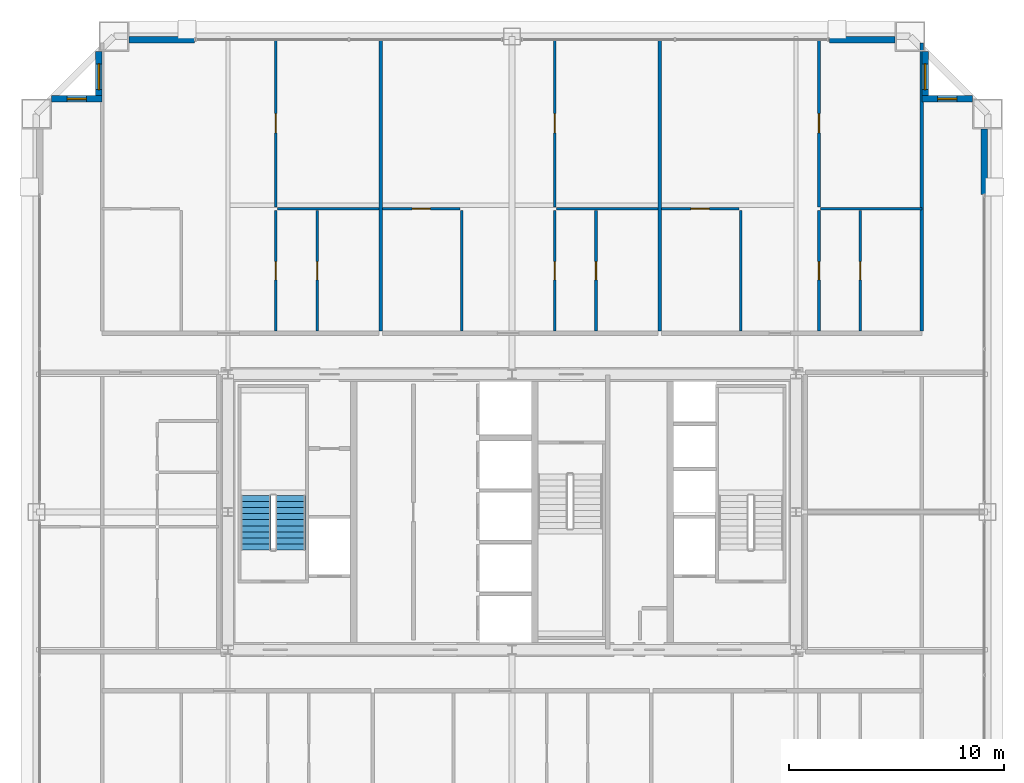
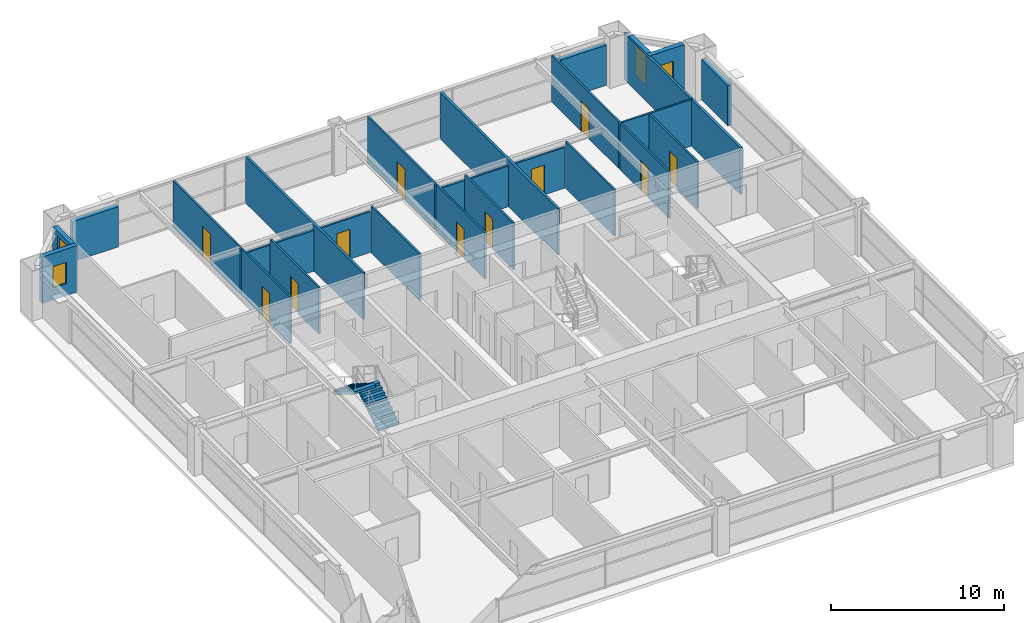
# One storey, part 36 of 38: 26 walls, 11 doors, 4 windows, 2 stair flights, 15 openings, 1 element without a shape of its own.
"""IFC4 building model written with IfcOpenShell, lengths in metres."""

import ifcopenshell
import ifcopenshell.guid

model = None  # the IFC model being written
_history = None  # IfcOwnerHistory: only IFC2X3 demands one
_inside = {}  # id of a spatial element -> (the spatial element, [elements in it])
_under = {}  # id of a project, library or spatial element -> (it, [spatial elements below it])
_declared = {}  # id of a project -> (the project, [libraries it declares])
_typed = {}  # id of a type object -> (the type object, [elements of that type])
_made_of = {}  # id of a material, layer set ... -> (it, [elements and type objects made of it])


def new_model(schema):
    """Start an empty IFC model of exactly this schema.

    Asked for "IFC4X3", IfcOpenShell would pick the latest addendum, in which some entities
    have other attributes; the version numbers below select the first issue.
    IFC2X3 requires an IfcOwnerHistory on every rooted entity: one is made here for all.
    """
    global model, _history
    if schema == "IFC4X3":
        model = ifcopenshell.file(schema_version=(4, 3, 0, 0))
    else:
        model = ifcopenshell.file(schema=schema)
    _inside.clear()
    _under.clear()
    _declared.clear()
    _typed.clear()
    _made_of.clear()
    _history = None
    if model.schema == "IFC2X3":
        org = make("IfcOrganization", Name="unknown")
        user = make(
            "IfcPersonAndOrganization",
            ThePerson=make("IfcPerson", FamilyName="unknown"),
            TheOrganization=org,
        )
        app = make(
            "IfcApplication",
            ApplicationDeveloper=org,
            Version="unknown",
            ApplicationFullName="unknown",
            ApplicationIdentifier="unknown",
        )
        _history = make(
            "IfcOwnerHistory",
            OwningUser=user,
            OwningApplication=app,
            ChangeAction="ADDED",
            CreationDate=0,
        )
    return model


def make(cls, **values):
    """One entity of the class cls with the attributes given. An attribute that is None is left unset."""
    return model.create_entity(
        cls, **{name: value for name, value in values.items() if value is not None}
    )


def rooted(cls, **values):
    """An entity with a GlobalId (a new one), such as an element, a storey or a relation."""
    return make(cls, GlobalId=ifcopenshell.guid.new(), OwnerHistory=_history, **values)


def si_unit(unit_type, name, prefix=None):
    """IfcSIUnit, for example si_unit("LENGTHUNIT", "METRE", prefix="MILLI")."""
    return make("IfcSIUnit", UnitType=unit_type, Prefix=prefix, Name=name)


def assignment(units):
    """IfcUnitAssignment: the units of a project."""
    return None if units is None else make("IfcUnitAssignment", Units=units)


def point(xyz):
    """IfcCartesianPoint."""
    return None if xyz is None else make("IfcCartesianPoint", Coordinates=xyz)


def direction(xyz):
    """IfcDirection."""
    return None if xyz is None else make("IfcDirection", DirectionRatios=xyz)


def frame(location, z_axis=None, x_axis=None):
    """IfcAxis2Placement3D, a coordinate frame: its origin and axes. An axis left out is left unset."""
    return make(
        "IfcAxis2Placement3D",
        Location=point(location),
        Axis=direction(z_axis),
        RefDirection=direction(x_axis),
    )


def frame_2d(location, x_axis=None):
    """IfcAxis2Placement2D, a coordinate frame in the plane: its origin and x axis."""
    return make(
        "IfcAxis2Placement2D", Location=point(location), RefDirection=direction(x_axis)
    )


def origin():
    """The frame at (0, 0, 0) with its axes left unset."""
    return frame((0.0, 0.0, 0.0))


def place(relative_to, where):
    """IfcLocalPlacement: puts the frame where relative to a parent placement (None: the world)."""
    return make(
        "IfcLocalPlacement", PlacementRelTo=relative_to, RelativePlacement=where
    )


def context(
    kind, dimensions, precision=None, world=None, true_north=None, identifier=None
):
    """IfcGeometricRepresentationContext, for example the 3D "Model" context."""
    return make(
        "IfcGeometricRepresentationContext",
        ContextIdentifier=identifier,
        ContextType=kind,
        CoordinateSpaceDimension=dimensions,
        Precision=precision,
        WorldCoordinateSystem=world,
        TrueNorth=true_north,
    )


def subcontext(parent, identifier, kind, view, scale=None):
    """IfcGeometricRepresentationSubContext, for example "Body" below "Model"."""
    return make(
        "IfcGeometricRepresentationSubContext",
        ContextIdentifier=identifier,
        ContextType=kind,
        ParentContext=parent,
        TargetScale=scale,
        TargetView=view,
    )


def project(units=None, contexts=None):
    """IfcProject with its units and contexts."""
    return rooted(
        "IfcProject",
        Name="project",
        RepresentationContexts=contexts,
        UnitsInContext=assignment(units),
    )


def spatial(cls, under=None, at=None, **own):
    """A site, building, storey or space (cls), placed at a placement, below another one or the project."""
    s = rooted(cls, ObjectPlacement=at, **own)
    if under is not None:
        _under.setdefault(under.id(), (under, []))[1].append(s)
    return s


def polyline(points):
    """IfcPolyline through the points."""
    return make("IfcPolyline", Points=[point(p) for p in points])


def profile(cls, at=None, kind="AREA", **sizes):
    """A parametric profile (cls). Its sizes go by their IFC names, for example OverallWidth=200.0."""
    return make(cls, ProfileType=kind, Position=at, **sizes)


def rectangle(**sizes):
    """IfcRectangleProfileDef."""
    return profile("IfcRectangleProfileDef", **sizes)


def outline(outer, holes=None, kind="AREA"):
    """IfcArbitraryClosedProfileDef: a profile drawn as a closed curve; with holes, ...WithVoids."""
    if holes is None:
        return make("IfcArbitraryClosedProfileDef", ProfileType=kind, OuterCurve=outer)
    return make(
        "IfcArbitraryProfileDefWithVoids",
        ProfileType=kind,
        OuterCurve=outer,
        InnerCurves=holes,
    )


def extrude(swept, where, along, depth):
    """IfcExtrudedAreaSolid: the profile swept, set in the frame where, extruded along a direction by depth."""
    return make(
        "IfcExtrudedAreaSolid",
        SweptArea=swept,
        Position=where,
        ExtrudedDirection=direction(along),
        Depth=depth,
    )


def shape(context_of_items, identifier, shape_type, items):
    """IfcShapeRepresentation: the items that make up one representation, for example the "Body"."""
    return make(
        "IfcShapeRepresentation",
        ContextOfItems=context_of_items,
        RepresentationIdentifier=identifier,
        RepresentationType=shape_type,
        Items=items,
    )


def source(mapping_origin, context_of_items, identifier, shape_type, items):
    """IfcRepresentationMap: a shape defined once, which mapped items show again and again."""
    return make(
        "IfcRepresentationMap",
        MappingOrigin=mapping_origin,
        MappedRepresentation=shape(context_of_items, identifier, shape_type, items),
    )


def transform(
    local_origin,
    x_axis=None,
    y_axis=None,
    z_axis=None,
    scale=None,
    scale2=None,
    scale3=None,
    uniform=True,
):
    """IfcCartesianTransformationOperator3D, or its non-uniform kind. x_axis, y_axis, z_axis: its Axis1, 2, 3."""
    if uniform:
        return make(
            "IfcCartesianTransformationOperator3D",
            Axis1=direction(x_axis),
            Axis2=direction(y_axis),
            LocalOrigin=point(local_origin),
            Scale=scale,
            Axis3=direction(z_axis),
        )
    return make(
        "IfcCartesianTransformationOperator3DnonUniform",
        Axis1=direction(x_axis),
        Axis2=direction(y_axis),
        LocalOrigin=point(local_origin),
        Scale=scale,
        Axis3=direction(z_axis),
        Scale2=scale2,
        Scale3=scale3,
    )


def mapped(mapping_source, mapping_target):
    """IfcMappedItem: shows the shape of a source again, moved by a transform."""
    return make(
        "IfcMappedItem", MappingSource=mapping_source, MappingTarget=mapping_target
    )


def material(Name=None, Category=None):
    """IfcMaterial."""
    return make("IfcMaterial", Name=Name, Category=Category)


def layer(
    of_material, thickness, ventilated=None, Name=None, Category=None, Priority=None
):
    """IfcMaterialLayer: one layer of a wall or slab, of a material (None: an air gap)."""
    return make(
        "IfcMaterialLayer",
        Material=of_material,
        LayerThickness=thickness,
        IsVentilated=ventilated,
        Name=Name,
        Category=Category,
        Priority=Priority,
    )


def layer_set(layers, Name=None):
    """IfcMaterialLayerSet."""
    return make("IfcMaterialLayerSet", MaterialLayers=layers, LayerSetName=Name)


def made_of(thing, what):
    """Note that an element or type object is made of a material, layer set ...; save() writes the relation."""
    if what is not None:
        _made_of.setdefault(what.id(), (what, []))[1].append(thing)
    return thing


def type_object(cls, material=None, **own):
    """A type object (cls), such as IfcWallType, which elements share."""
    return made_of(rooted(cls, **own), material)


def element(
    cls,
    number,
    at=None,
    inside=None,
    cuts=None,
    type_object=None,
    material=None,
    context=None,
    identifier="Body",
    shape_type=None,
    held_by="IfcProductDefinitionShape",
    body=None,
    shapes=None,
    **own,
):
    """One element of the class cls, such as IfcWall. Its Tag is "e" and its number.

    at: its placement. inside: the storey or other place that contains it. cuts: it is an
    opening in that element (IfcRelVoidsElement). A single representation is given by context,
    identifier, shape_type and body (its items); several are given by shapes. held_by: the class
    of the entity that holds the representations. save() writes the other relations.
    """
    e = rooted(cls, Tag="e%d" % number, ObjectPlacement=at, **own)
    if body is not None:
        shapes = [shape(context, identifier, shape_type, body)]
    if shapes is not None:
        e.Representation = make(held_by, Representations=shapes)
    if inside is not None:
        _inside.setdefault(inside.id(), (inside, []))[1].append(e)
    if cuts is not None:
        rooted(
            "IfcRelVoidsElement", RelatingBuildingElement=cuts, RelatedOpeningElement=e
        )
    if type_object is not None:
        _typed.setdefault(type_object.id(), (type_object, []))[1].append(e)
    return made_of(e, material)


def fill(opening, filler):
    """IfcRelFillsElement: the door or window that sits in an opening."""
    return rooted(
        "IfcRelFillsElement",
        RelatingOpeningElement=opening,
        RelatedBuildingElement=filler,
    )


def aggregate(whole, parts):
    """IfcRelAggregates: a whole, such as a stair, and the parts it consists of."""
    return rooted("IfcRelAggregates", RelatingObject=whole, RelatedObjects=parts)


def save(model, path):
    """Write the relations noted so far, then the file.

    IfcRelAggregates (storeys below a building ...), IfcRelContainedInSpatialStructure (elements
    in a storey), IfcRelDefinesByType, IfcRelAssociatesMaterial and IfcRelDeclares: one each for
    every whole, place, type object, material and project.
    """
    for whole, parts in _under.values():
        aggregate(whole, parts)
    for where, things in _inside.values():
        rooted(
            "IfcRelContainedInSpatialStructure",
            RelatedElements=things,
            RelatingStructure=where,
        )
    for kind, things in _typed.values():
        rooted("IfcRelDefinesByType", RelatedObjects=things, RelatingType=kind)
    for what, things in _made_of.values():
        rooted("IfcRelAssociatesMaterial", RelatedObjects=things, RelatingMaterial=what)
    for by, libraries in _declared.values():
        rooted("IfcRelDeclares", RelatingContext=by, RelatedDefinitions=libraries)
    model.write(path)


model = new_model("IFC4")

# Units and contexts
model_context = context("Model", 3, precision=1e-05, world=origin(), true_north=direction((0.0, 1.0)))
body_context = subcontext(model_context, "Body", "Model", "MODEL_VIEW")
ifc_project = project(units=[si_unit("LENGTHUNIT", "METRE"), si_unit("AREAUNIT", "SQUARE_METRE"), si_unit("VOLUMEUNIT", "CUBIC_METRE"), si_unit("PLANEANGLEUNIT", "RADIAN"), si_unit("MASSUNIT", "GRAM", prefix="KILO"), si_unit("THERMODYNAMICTEMPERATUREUNIT", "KELVIN"), si_unit("POWERUNIT", "WATT")], contexts=[model_context])

# Site, building, storey
site_placement = place(None, origin())
site = spatial("IfcSite", under=ifc_project, at=site_placement, CompositionType="ELEMENT")
building_placement = place(site_placement, origin())
building = spatial("IfcBuilding", under=site, at=building_placement, Name="Yuzanri Waterfront Tower", CompositionType="ELEMENT")
storey_placement = place(building_placement, frame((0.0, 0.0, 202.0)))
storey = spatial("IfcBuildingStorey", under=building, at=storey_placement, Name="L53", CompositionType="ELEMENT", Elevation=202.0)

# Wall, opening, door
ifc_material_1 = material(Name="Moisture-Resistant Gypsum Stud Wall", Category="gypsum")
ifc_layer_1 = layer(ifc_material_1, 0.1201171875)
ifc_layer_set_1 = layer_set([ifc_layer_1], Name="Moisture-Resistant Gypsum Stud Wall")
wall_type_1 = type_object("IfcWallType", Name="Bathroom and Kitchen Wet Partition 120", PredefinedType="PARTITIONING", material=ifc_layer_set_1)
wall_1_placement = place(storey_placement, frame((27.94091796875, 34.2099609375, 0.0), z_axis=(0.0, 0.0, 1.0), x_axis=(0.0, 1.0, 0.0)))
wall_1 = element("IfcWall", 1, at=wall_1_placement, inside=storey, type_object=wall_type_1, Name="L53 Partition UW-L53-RN1-SUB-2-W", PredefinedType="PARTITIONING", context=body_context, shape_type="SweptSolid", body=[
    extrude(rectangle(XDim=5.610107421875, YDim=0.1201171875, at=frame_2d((2.80517578125, 0.0))), origin(), (0.0, 0.0, 1.0), 3.280029296875),
])
opening_1_placement = place(wall_1_placement, frame((2.3798828125, 0.0, 0.0)))
opening_1 = element("IfcOpeningElement", 2, at=opening_1_placement, cuts=wall_1, Name="Opening ID-0850", PredefinedType="OPENING", context=body_context, shape_type="SweptSolid", body=[
    extrude(rectangle(XDim=0.85009765625, YDim=2.10009765625, at=frame_2d((0.425048828125, 1.050048828125))), frame((0.0, 0.074951171875, 0.0), z_axis=(0.0, -1.0, 0.0), x_axis=(1.0, 0.0, 0.0)), (0.0, 0.0, 1.0), 0.14990234375),
])
ifc_material_2 = material(Name="Moisture-Resistant Lacquered Timber", Category="wood")
door_type_1 = type_object("IfcDoorType", Name="En-Suite Bathroom and Kitchen Swing Door 850x2100", OperationType="NOTDEFINED", PredefinedType="DOOR", material=ifc_material_2)
shared_shape_1 = source(origin(), body_context, "Body", "SweptSolid", [
    extrude(rectangle(XDim=0.85009765625, YDim=2.10009765625, at=frame_2d((0.425048828125, 1.050048828125))), frame((0.0, 0.02490234375, 0.0), z_axis=(0.0, -1.0, 0.0), x_axis=(1.0, 0.0, 0.0)), (0.0, 0.0, 1.0), 0.050048828125),
])
door_1_placement = place(opening_1_placement, origin())
door_1 = element("IfcDoor", 3, at=door_1_placement, inside=storey, type_object=door_type_1, Name="L53 Suite Interior Room Door", OperationType="SINGLE_SWING_LEFT", OverallHeight=2.10009765625, OverallWidth=0.85009765625, PredefinedType="DOOR", context=body_context, shape_type="MappedRepresentation", body=[
    mapped(shared_shape_1, transform((0.0, 0.0, 0.0), scale=1.0)),
])
fill(opening_1, door_1)

wall_2_placement = place(storey_placement, frame((26.029052734375, 39.97998046875, 0.0), z_axis=(0.0, 0.0, 1.0), x_axis=(0.0, 1.0, 0.0)))
wall_2 = element("IfcWall", 4, at=wall_2_placement, inside=storey, type_object=wall_type_1, Name="L53 Partition UW-L53-RN1-SUB-3-W", PredefinedType="PARTITIONING", context=body_context, shape_type="SweptSolid", body=[
    extrude(rectangle(XDim=7.77001953125, YDim=0.1201171875, at=frame_2d((3.885009765625, 0.0))), origin(), (0.0, 0.0, 1.0), 3.280029296875),
])
opening_2_placement = place(wall_2_placement, frame((3.43505859375, 0.0, 0.0)))
opening_2 = element("IfcOpeningElement", 5, at=opening_2_placement, cuts=wall_2, Name="Opening ID-0900", PredefinedType="OPENING", context=body_context, shape_type="SweptSolid", body=[
    extrude(rectangle(XDim=0.89990234375, YDim=2.14990234375, at=frame_2d((0.449951171875, 1.074951171875))), frame((0.0, 0.074951171875, 0.0), z_axis=(0.0, -1.0, 0.0), x_axis=(1.0, 0.0, 0.0)), (0.0, 0.0, 1.0), 0.14990234375),
])
ifc_material_3 = material(Name="Stained Walnut Veneer Timber", Category="wood")
door_type_2 = type_object("IfcDoorType", Name="Bedroom and Study Interior Swing Door 900x2150", OperationType="NOTDEFINED", PredefinedType="DOOR", material=ifc_material_3)
shared_shape_2 = source(origin(), body_context, "Body", "SweptSolid", [
    extrude(rectangle(XDim=0.89990234375, YDim=2.14990234375, at=frame_2d((0.449951171875, 1.074951171875))), frame((0.0, 0.02490234375, 0.0), z_axis=(0.0, -1.0, 0.0), x_axis=(1.0, 0.0, 0.0)), (0.0, 0.0, 1.0), 0.050048828125),
])
door_2_placement = place(opening_2_placement, origin())
door_2 = element("IfcDoor", 6, at=door_2_placement, inside=storey, type_object=door_type_2, Name="L53 Suite Interior Room Door", OperationType="SINGLE_SWING_RIGHT", OverallHeight=2.14990234375, OverallWidth=0.89990234375, PredefinedType="DOOR", context=body_context, shape_type="MappedRepresentation", body=[
    mapped(shared_shape_2, transform((0.0, 0.0, 0.0), scale=1.0)),
])
fill(opening_2, door_2)

wall_3_placement = place(storey_placement, frame((26.029052734375, 34.2099609375, 0.0), z_axis=(0.0, 0.0, 1.0), x_axis=(0.0, 1.0, 0.0)))
wall_3 = element("IfcWall", 7, at=wall_3_placement, inside=storey, type_object=wall_type_1, Name="L53 Partition UW-L53-RN1-SUB-4-W", PredefinedType="PARTITIONING", context=body_context, shape_type="SweptSolid", body=[
    extrude(rectangle(XDim=5.610107421875, YDim=0.1201171875, at=frame_2d((2.80517578125, 0.0))), origin(), (0.0, 0.0, 1.0), 3.280029296875),
])
opening_3_placement = place(wall_3_placement, frame((2.3798828125, 0.0, 0.0)))
opening_3 = element("IfcOpeningElement", 8, at=opening_3_placement, cuts=wall_3, Name="Opening ID-0850", PredefinedType="OPENING", context=body_context, shape_type="SweptSolid", body=[
    extrude(rectangle(XDim=0.85009765625, YDim=2.10009765625, at=frame_2d((0.425048828125, 1.050048828125))), frame((0.0, 0.074951171875, 0.0), z_axis=(0.0, -1.0, 0.0), x_axis=(1.0, 0.0, 0.0)), (0.0, 0.0, 1.0), 0.14990234375),
])
door_3_placement = place(opening_3_placement, origin())
door_3 = element("IfcDoor", 9, at=door_3_placement, inside=storey, type_object=door_type_1, Name="L53 Suite Interior Room Door", OperationType="SINGLE_SWING_LEFT", OverallHeight=2.10009765625, OverallWidth=0.85009765625, PredefinedType="DOOR", context=body_context, shape_type="MappedRepresentation", body=[
    mapped(shared_shape_1, transform((0.0, 0.0, 0.0), scale=1.0)),
])
fill(opening_3, door_3)

wall_4_placement = place(storey_placement, frame((30.98095703125, 39.89990234375, 0.0), z_axis=(0.0, 0.0, 1.0), x_axis=(1.0, 0.0, 0.0)))
wall_4 = element("IfcWall", 10, at=wall_4_placement, inside=storey, type_object=wall_type_1, Name="L53 Partition UW-L53-RN2-SUB-1-N", PredefinedType="PARTITIONING", context=body_context, shape_type="SweptSolid", body=[
    extrude(rectangle(XDim=3.60009765625, YDim=0.1201171875, at=frame_2d((1.800048828125, 0.0))), origin(), (0.0, 0.0, 1.0), 2.875),
])
opening_4_placement = place(wall_4_placement, frame((1.375, 0.0, 0.0)))
opening_4 = element("IfcOpeningElement", 11, at=opening_4_placement, cuts=wall_4, Name="Opening ID-0850", PredefinedType="OPENING", context=body_context, shape_type="SweptSolid", body=[
    extrude(rectangle(XDim=0.85009765625, YDim=2.10009765625, at=frame_2d((0.425048828125, 1.050048828125))), frame((0.0, 0.074951171875, 0.0), z_axis=(0.0, -1.0, 0.0), x_axis=(1.0, 0.0, 0.0)), (0.0, 0.0, 1.0), 0.14990234375),
])
door_4_placement = place(opening_4_placement, origin())
door_4 = element("IfcDoor", 12, at=door_4_placement, inside=storey, type_object=door_type_1, Name="L53 Suite Interior Room Door", OperationType="SINGLE_SWING_LEFT", OverallHeight=2.10009765625, OverallWidth=0.85009765625, PredefinedType="DOOR", context=body_context, shape_type="MappedRepresentation", body=[
    mapped(shared_shape_1, transform((0.0, 0.0, 0.0), scale=1.0)),
])
fill(opening_4, door_4)

wall_5_placement = place(storey_placement, frame((40.902099609375, 34.2099609375, 0.0), z_axis=(0.0, 0.0, 1.0), x_axis=(0.0, 1.0, 0.0)))
wall_5 = element("IfcWall", 13, at=wall_5_placement, inside=storey, type_object=wall_type_1, Name="L53 Partition UW-L53-RN2-SUB-2-W", PredefinedType="PARTITIONING", context=body_context, shape_type="SweptSolid", body=[
    extrude(rectangle(XDim=5.610107421875, YDim=0.1201171875, at=frame_2d((2.80517578125, 0.0))), origin(), (0.0, 0.0, 1.0), 3.280029296875),
])
opening_5_placement = place(wall_5_placement, frame((2.3798828125, 0.0, 0.0)))
opening_5 = element("IfcOpeningElement", 14, at=opening_5_placement, cuts=wall_5, Name="Opening ID-0850", PredefinedType="OPENING", context=body_context, shape_type="SweptSolid", body=[
    extrude(rectangle(XDim=0.85009765625, YDim=2.10009765625, at=frame_2d((0.425048828125, 1.050048828125))), frame((0.0, 0.074951171875, 0.0), z_axis=(0.0, -1.0, 0.0), x_axis=(1.0, 0.0, 0.0)), (0.0, 0.0, 1.0), 0.14990234375),
])
door_5_placement = place(opening_5_placement, origin())
door_5 = element("IfcDoor", 15, at=door_5_placement, inside=storey, type_object=door_type_1, Name="L53 Suite Interior Room Door", OperationType="SINGLE_SWING_RIGHT", OverallHeight=2.10009765625, OverallWidth=0.85009765625, PredefinedType="DOOR", context=body_context, shape_type="MappedRepresentation", body=[
    mapped(shared_shape_1, transform((0.0, 0.0, 0.0), scale=1.0)),
])
fill(opening_5, door_5)

wall_6_placement = place(storey_placement, frame((38.989990234375, 39.97998046875, 0.0), z_axis=(0.0, 0.0, 1.0), x_axis=(0.0, 1.0, 0.0)))
wall_6 = element("IfcWall", 16, at=wall_6_placement, inside=storey, type_object=wall_type_1, Name="L53 Partition UW-L53-RN2-SUB-3-W", PredefinedType="PARTITIONING", context=body_context, shape_type="SweptSolid", body=[
    extrude(rectangle(XDim=7.77001953125, YDim=0.1201171875, at=frame_2d((3.885009765625, 0.0))), origin(), (0.0, 0.0, 1.0), 3.280029296875),
])
opening_6_placement = place(wall_6_placement, frame((3.43505859375, 0.0, 0.0)))
opening_6 = element("IfcOpeningElement", 17, at=opening_6_placement, cuts=wall_6, Name="Opening ID-0900", PredefinedType="OPENING", context=body_context, shape_type="SweptSolid", body=[
    extrude(rectangle(XDim=0.89990234375, YDim=2.14990234375, at=frame_2d((0.449951171875, 1.074951171875))), frame((0.0, 0.074951171875, 0.0), z_axis=(0.0, -1.0, 0.0), x_axis=(1.0, 0.0, 0.0)), (0.0, 0.0, 1.0), 0.14990234375),
])
door_6_placement = place(opening_6_placement, origin())
door_6 = element("IfcDoor", 18, at=door_6_placement, inside=storey, type_object=door_type_2, Name="L53 Suite Interior Room Door", OperationType="SINGLE_SWING_LEFT", OverallHeight=2.14990234375, OverallWidth=0.89990234375, PredefinedType="DOOR", context=body_context, shape_type="MappedRepresentation", body=[
    mapped(shared_shape_2, transform((0.0, 0.0, 0.0), scale=1.0)),
])
fill(opening_6, door_6)

wall_7_placement = place(storey_placement, frame((38.989990234375, 34.2099609375, 0.0), z_axis=(0.0, 0.0, 1.0), x_axis=(0.0, 1.0, 0.0)))
wall_7 = element("IfcWall", 19, at=wall_7_placement, inside=storey, type_object=wall_type_1, Name="L53 Partition UW-L53-RN2-SUB-4-W", PredefinedType="PARTITIONING", context=body_context, shape_type="SweptSolid", body=[
    extrude(rectangle(XDim=5.610107421875, YDim=0.1201171875, at=frame_2d((2.80517578125, 0.0))), origin(), (0.0, 0.0, 1.0), 3.280029296875),
])
opening_7_placement = place(wall_7_placement, frame((2.3798828125, 0.0, 0.0)))
opening_7 = element("IfcOpeningElement", 20, at=opening_7_placement, cuts=wall_7, Name="Opening ID-0850", PredefinedType="OPENING", context=body_context, shape_type="SweptSolid", body=[
    extrude(rectangle(XDim=0.85009765625, YDim=2.10009765625, at=frame_2d((0.425048828125, 1.050048828125))), frame((0.0, 0.074951171875, 0.0), z_axis=(0.0, -1.0, 0.0), x_axis=(1.0, 0.0, 0.0)), (0.0, 0.0, 1.0), 0.14990234375),
])
door_7_placement = place(opening_7_placement, origin())
door_7 = element("IfcDoor", 21, at=door_7_placement, inside=storey, type_object=door_type_1, Name="L53 Suite Interior Room Door", OperationType="SINGLE_SWING_RIGHT", OverallHeight=2.10009765625, OverallWidth=0.85009765625, PredefinedType="DOOR", context=body_context, shape_type="MappedRepresentation", body=[
    mapped(shared_shape_1, transform((0.0, 0.0, 0.0), scale=1.0)),
])
fill(opening_7, door_7)

wall_8_placement = place(storey_placement, frame((43.94189453125, 39.89990234375, 0.0), z_axis=(0.0, 0.0, 1.0), x_axis=(1.0, 0.0, 0.0)))
wall_8 = element("IfcWall", 22, at=wall_8_placement, inside=storey, type_object=wall_type_1, Name="L53 Partition UW-L53-RN3-SUB-1-N", PredefinedType="PARTITIONING", context=body_context, shape_type="SweptSolid", body=[
    extrude(rectangle(XDim=3.60009765625, YDim=0.1201171875, at=frame_2d((1.800048828125, 0.0))), origin(), (0.0, 0.0, 1.0), 2.875),
])
opening_8_placement = place(wall_8_placement, frame((1.375, 0.0, 0.0)))
opening_8 = element("IfcOpeningElement", 23, at=opening_8_placement, cuts=wall_8, Name="Opening ID-0850", PredefinedType="OPENING", context=body_context, shape_type="SweptSolid", body=[
    extrude(rectangle(XDim=0.85009765625, YDim=2.10009765625, at=frame_2d((0.425048828125, 1.050048828125))), frame((0.0, 0.074951171875, 0.0), z_axis=(0.0, -1.0, 0.0), x_axis=(1.0, 0.0, 0.0)), (0.0, 0.0, 1.0), 0.14990234375),
])
door_8_placement = place(opening_8_placement, origin())
door_8 = element("IfcDoor", 24, at=door_8_placement, inside=storey, type_object=door_type_1, Name="L53 Suite Interior Room Door", OperationType="SINGLE_SWING_RIGHT", OverallHeight=2.10009765625, OverallWidth=0.85009765625, PredefinedType="DOOR", context=body_context, shape_type="MappedRepresentation", body=[
    mapped(shared_shape_1, transform((0.0, 0.0, 0.0), scale=1.0)),
])
fill(opening_8, door_8)

wall_9_placement = place(storey_placement, frame((53.179931640625, 34.2099609375, 0.0), z_axis=(0.0, 0.0, 1.0), x_axis=(0.0, 1.0, 0.0)))
wall_9 = element("IfcWall", 25, at=wall_9_placement, inside=storey, type_object=wall_type_1, Name="L53 Partition UW-L53-RN3-SUB-2-W", PredefinedType="PARTITIONING", context=body_context, shape_type="SweptSolid", body=[
    extrude(rectangle(XDim=5.610107421875, YDim=0.1201171875, at=frame_2d((2.80517578125, 0.0))), origin(), (0.0, 0.0, 1.0), 3.280029296875),
])
opening_9_placement = place(wall_9_placement, frame((2.3798828125, 0.0, 0.0)))
opening_9 = element("IfcOpeningElement", 26, at=opening_9_placement, cuts=wall_9, Name="Opening ID-0850", PredefinedType="OPENING", context=body_context, shape_type="SweptSolid", body=[
    extrude(rectangle(XDim=0.85009765625, YDim=2.10009765625, at=frame_2d((0.425048828125, 1.050048828125))), frame((0.0, 0.074951171875, 0.0), z_axis=(0.0, -1.0, 0.0), x_axis=(1.0, 0.0, 0.0)), (0.0, 0.0, 1.0), 0.14990234375),
])
door_9_placement = place(opening_9_placement, origin())
door_9 = element("IfcDoor", 27, at=door_9_placement, inside=storey, type_object=door_type_1, Name="L53 Suite Interior Room Door", OperationType="SINGLE_SWING_LEFT", OverallHeight=2.10009765625, OverallWidth=0.85009765625, PredefinedType="DOOR", context=body_context, shape_type="MappedRepresentation", body=[
    mapped(shared_shape_1, transform((0.0, 0.0, 0.0), scale=1.0)),
])
fill(opening_9, door_9)

wall_10_placement = place(storey_placement, frame((51.26806640625, 39.97998046875, 0.0), z_axis=(0.0, 0.0, 1.0), x_axis=(0.0, 1.0, 0.0)))
wall_10 = element("IfcWall", 28, at=wall_10_placement, inside=storey, type_object=wall_type_1, Name="L53 Partition UW-L53-RN3-SUB-3-W", PredefinedType="PARTITIONING", context=body_context, shape_type="SweptSolid", body=[
    extrude(rectangle(XDim=7.77001953125, YDim=0.1201171875, at=frame_2d((3.885009765625, 0.0))), origin(), (0.0, 0.0, 1.0), 3.280029296875),
])
opening_10_placement = place(wall_10_placement, frame((3.43505859375, 0.0, 0.0)))
opening_10 = element("IfcOpeningElement", 29, at=opening_10_placement, cuts=wall_10, Name="Opening ID-0900", PredefinedType="OPENING", context=body_context, shape_type="SweptSolid", body=[
    extrude(rectangle(XDim=0.89990234375, YDim=2.14990234375, at=frame_2d((0.449951171875, 1.074951171875))), frame((0.0, 0.074951171875, 0.0), z_axis=(0.0, -1.0, 0.0), x_axis=(1.0, 0.0, 0.0)), (0.0, 0.0, 1.0), 0.14990234375),
])
door_10_placement = place(opening_10_placement, origin())
door_10 = element("IfcDoor", 30, at=door_10_placement, inside=storey, type_object=door_type_2, Name="L53 Suite Interior Room Door", OperationType="SINGLE_SWING_RIGHT", OverallHeight=2.14990234375, OverallWidth=0.89990234375, PredefinedType="DOOR", context=body_context, shape_type="MappedRepresentation", body=[
    mapped(shared_shape_2, transform((0.0, 0.0, 0.0), scale=1.0)),
])
fill(opening_10, door_10)

wall_11_placement = place(storey_placement, frame((51.26806640625, 34.2099609375, 0.0), z_axis=(0.0, 0.0, 1.0), x_axis=(0.0, 1.0, 0.0)))
wall_11 = element("IfcWall", 31, at=wall_11_placement, inside=storey, type_object=wall_type_1, Name="L53 Partition UW-L53-RN3-SUB-4-W", PredefinedType="PARTITIONING", context=body_context, shape_type="SweptSolid", body=[
    extrude(rectangle(XDim=5.610107421875, YDim=0.1201171875, at=frame_2d((2.80517578125, 0.0))), origin(), (0.0, 0.0, 1.0), 3.280029296875),
])
opening_11_placement = place(wall_11_placement, frame((2.3798828125, 0.0, 0.0)))
opening_11 = element("IfcOpeningElement", 32, at=opening_11_placement, cuts=wall_11, Name="Opening ID-0850", PredefinedType="OPENING", context=body_context, shape_type="SweptSolid", body=[
    extrude(rectangle(XDim=0.85009765625, YDim=2.10009765625, at=frame_2d((0.425048828125, 1.050048828125))), frame((0.0, 0.074951171875, 0.0), z_axis=(0.0, -1.0, 0.0), x_axis=(1.0, 0.0, 0.0)), (0.0, 0.0, 1.0), 0.14990234375),
])
door_11_placement = place(opening_11_placement, origin())
door_11 = element("IfcDoor", 33, at=door_11_placement, inside=storey, type_object=door_type_1, Name="L53 Suite Interior Room Door", OperationType="SINGLE_SWING_LEFT", OverallHeight=2.10009765625, OverallWidth=0.85009765625, PredefinedType="DOOR", context=body_context, shape_type="MappedRepresentation", body=[
    mapped(shared_shape_1, transform((0.0, 0.0, 0.0), scale=1.0)),
])
fill(opening_11, door_11)

# Wall, opening, window
ifc_material_4 = material(Name="Honed Chongqing Dark Basalt Stone", Category="masonry")
ifc_layer_2 = layer(ifc_material_4, 0.300048828125)
ifc_layer_set_2 = layer_set([ifc_layer_2], Name="Honed Chongqing Dark Basalt Stone")
wall_type_2 = type_object("IfcWallType", Name="Bronze Rainscreen Insulated Spandrel Portal Wall 300", PredefinedType="SOLIDWALL", material=ifc_layer_set_2)
wall_12_placement = place(storey_placement, frame((17.949951171875, 45.0, 0.0), z_axis=(0.0, 0.0, 1.0), x_axis=(-1.0, 0.0, 0.0)))
wall_12 = element("IfcWall", 34, at=wall_12_placement, inside=storey, type_object=wall_type_2, Name="L53 Notched Corner Masonry Wall NW-X", PredefinedType="SOLIDWALL", context=body_context, shape_type="SweptSolid", body=[
    extrude(rectangle(XDim=2.349853515625, YDim=0.300048828125, at=frame_2d((1.1748046875, 0.0))), origin(), (0.0, 0.0, 1.0), 3.280029296875),
])
opening_12_placement = place(wall_12_placement, frame((0.72509765625, 0.0, 0.85009765625)))
opening_12 = element("IfcOpeningElement", 35, at=opening_12_placement, cuts=wall_12, Name="Opening WN-05", PredefinedType="OPENING", context=body_context, shape_type="SweptSolid", body=[
    extrude(rectangle(XDim=0.89990234375, YDim=1.5, at=frame_2d((0.449951171875, 0.75))), frame((0.0, 0.1650390625, 0.0), z_axis=(0.0, -1.0, 0.0), x_axis=(1.0, 0.0, 0.0)), (0.0, 0.0, 1.0), 0.329833984375),
])
ifc_material_5 = material(Name="Double-Silver Low-E Insulated Glass", Category="glass")
window_type_1 = type_object("IfcWindowType", Name="Anodized Bronze Service and Stairwell Smoke-Vent Window 900x1500", PartitioningType="SINGLE_PANEL", PredefinedType="WINDOW", material=ifc_material_5)
shared_shape_3 = source(origin(), body_context, "Body", "SweptSolid", [
    extrude(rectangle(XDim=0.89990234375, YDim=1.5, at=frame_2d((0.449951171875, 0.75))), frame((0.0, 0.030029296875, 0.0), z_axis=(0.0, -1.0, 0.0), x_axis=(1.0, 0.0, 0.0)), (0.0, 0.0, 1.0), 0.06005859375),
])
window_1_placement = place(opening_12_placement, origin())
window_1 = element("IfcWindow", 36, at=window_1_placement, inside=storey, type_object=window_type_1, Name="L53 Notched Corner Window NW-X", OverallHeight=1.5, OverallWidth=0.89990234375, PartitioningType="SINGLE_PANEL", PredefinedType="WINDOW", context=body_context, shape_type="MappedRepresentation", body=[
    mapped(shared_shape_3, transform((0.0, 0.0, 0.0), scale=1.0)),
])
fill(opening_12, window_1)

wall_13_placement = place(storey_placement, frame((17.800048828125, 47.199951171875, 0.0), z_axis=(0.0, 0.0, 1.0), x_axis=(0.0, -1.0, 0.0)))
wall_13 = element("IfcWall", 37, at=wall_13_placement, inside=storey, type_object=wall_type_2, Name="L53 Notched Corner Masonry Wall NW-Y", PredefinedType="SOLIDWALL", context=body_context, shape_type="SweptSolid", body=[
    extrude(rectangle(XDim=2.349853515625, YDim=0.300048828125, at=frame_2d((1.1748046875, 0.0))), origin(), (0.0, 0.0, 1.0), 3.280029296875),
])
opening_13_placement = place(wall_13_placement, frame((0.574951171875, 0.0, 0.85009765625)))
opening_13 = element("IfcOpeningElement", 38, at=opening_13_placement, cuts=wall_13, Name="Opening WN-02", PredefinedType="OPENING", context=body_context, shape_type="SweptSolid", body=[
    extrude(rectangle(XDim=1.199951171875, YDim=2.10009765625, at=frame_2d((0.60009765625, 1.050048828125))), frame((0.0, 0.1650390625, 0.0), z_axis=(0.0, -1.0, 0.0), x_axis=(1.0, 0.0, 0.0)), (0.0, 0.0, 1.0), 0.329833984375),
])
ifc_material_6 = material(Name="Double-Silver Low-E Insulated Glass", Category="glass")
window_type_2 = type_object("IfcWindowType", Name="Anodized Bronze Notched Corner Deep-Set Slot Window 1200x2100", PartitioningType="SINGLE_PANEL", PredefinedType="WINDOW", material=ifc_material_6)
shared_shape_4 = source(origin(), body_context, "Body", "SweptSolid", [
    extrude(rectangle(XDim=1.199951171875, YDim=2.10009765625, at=frame_2d((0.60009765625, 1.050048828125))), frame((0.0, 0.030029296875, 0.0), z_axis=(0.0, -1.0, 0.0), x_axis=(1.0, 0.0, 0.0)), (0.0, 0.0, 1.0), 0.06005859375),
])
window_2_placement = place(opening_13_placement, origin())
window_2 = element("IfcWindow", 39, at=window_2_placement, inside=storey, type_object=window_type_2, Name="L53 Notched Corner Window NW-Y", OverallHeight=2.10009765625, OverallWidth=1.199951171875, PartitioningType="SINGLE_PANEL", PredefinedType="WINDOW", context=body_context, shape_type="MappedRepresentation", body=[
    mapped(shared_shape_4, transform((0.0, 0.0, 0.0), scale=1.0)),
])
fill(opening_13, window_2)

wall_14_placement = place(storey_placement, frame((58.39990234375, 45.0, 0.0), z_axis=(0.0, 0.0, 1.0), x_axis=(-1.0, 0.0, 0.0)))
wall_14 = element("IfcWall", 40, at=wall_14_placement, inside=storey, type_object=wall_type_2, Name="L53 Notched Corner Masonry Wall NE-X", PredefinedType="SOLIDWALL", context=body_context, shape_type="SweptSolid", body=[
    extrude(rectangle(XDim=2.349853515625, YDim=0.300048828125, at=frame_2d((1.1748046875, 0.0))), origin(), (0.0, 0.0, 1.0), 3.280029296875),
])
opening_14_placement = place(wall_14_placement, frame((0.72509765625, 0.0, 0.85009765625)))
opening_14 = element("IfcOpeningElement", 41, at=opening_14_placement, cuts=wall_14, Name="Opening WN-05", PredefinedType="OPENING", context=body_context, shape_type="SweptSolid", body=[
    extrude(rectangle(XDim=0.89990234375, YDim=1.5, at=frame_2d((0.449951171875, 0.75))), frame((0.0, 0.1650390625, 0.0), z_axis=(0.0, -1.0, 0.0), x_axis=(1.0, 0.0, 0.0)), (0.0, 0.0, 1.0), 0.329833984375),
])
window_3_placement = place(opening_14_placement, origin())
window_3 = element("IfcWindow", 42, at=window_3_placement, inside=storey, type_object=window_type_1, Name="L53 Notched Corner Window NE-X", OverallHeight=1.5, OverallWidth=0.89990234375, PartitioningType="SINGLE_PANEL", PredefinedType="WINDOW", context=body_context, shape_type="MappedRepresentation", body=[
    mapped(shared_shape_3, transform((0.0, 0.0, 0.0), scale=1.0)),
])
fill(opening_14, window_3)

wall_15_placement = place(storey_placement, frame((56.199951171875, 44.85009765625, 0.0), z_axis=(0.0, 0.0, 1.0), x_axis=(0.0, 1.0, 0.0)))
wall_15 = element("IfcWall", 43, at=wall_15_placement, inside=storey, type_object=wall_type_2, Name="L53 Notched Corner Masonry Wall NE-Y", PredefinedType="SOLIDWALL", context=body_context, shape_type="SweptSolid", body=[
    extrude(rectangle(XDim=2.349853515625, YDim=0.300048828125, at=frame_2d((1.1748046875, 0.0))), origin(), (0.0, 0.0, 1.0), 3.280029296875),
])
opening_15_placement = place(wall_15_placement, frame((0.574951171875, 0.0, 0.85009765625)))
opening_15 = element("IfcOpeningElement", 44, at=opening_15_placement, cuts=wall_15, Name="Opening WN-02", PredefinedType="OPENING", context=body_context, shape_type="SweptSolid", body=[
    extrude(rectangle(XDim=1.199951171875, YDim=2.10009765625, at=frame_2d((0.60009765625, 1.050048828125))), frame((0.0, 0.1650390625, 0.0), z_axis=(0.0, -1.0, 0.0), x_axis=(1.0, 0.0, 0.0)), (0.0, 0.0, 1.0), 0.329833984375),
])
window_4_placement = place(opening_15_placement, origin())
window_4 = element("IfcWindow", 45, at=window_4_placement, inside=storey, type_object=window_type_2, Name="L53 Notched Corner Window NE-Y", OverallHeight=2.10009765625, OverallWidth=1.199951171875, PartitioningType="SINGLE_PANEL", PredefinedType="WINDOW", context=body_context, shape_type="MappedRepresentation", body=[
    mapped(shared_shape_4, transform((0.0, 0.0, 0.0), scale=1.0)),
])
fill(opening_15, window_4)

# Walls
shared_shape_5 = source(origin(), body_context, "Body", "SweptSolid", [
    extrude(rectangle(XDim=3.050048828125, YDim=0.300048828125, at=frame_2d((1.52490234375, 0.0))), origin(), (0.0, 0.0, 1.0), 2.8349609375),
])
for number, where, z_axis, x_axis, name in (
    (46, (19.199951171875, 47.75, 0.0), (0.0, 0.0, 1.0), (1.0, 0.0, 0.0), "L53 N Left Braced Masonry Shoulder"),
    (47, (51.75, 47.75, 0.0), (0.0, 0.0, 1.0), (1.0, 0.0, 0.0), "L53 N Right Braced Masonry Shoulder"),
    (48, (58.949951171875, 40.550048828125, 0.0), (0.0, 0.0, 1.0), (0.0, 1.0, 0.0), "L53 E Right Braced Masonry Shoulder"),
):
    element("IfcWall", number, at=place(storey_placement, frame(where, z_axis=z_axis, x_axis=x_axis)), inside=storey, type_object=wall_type_2, Name=name, PredefinedType="SOLIDWALL", context=body_context, shape_type="MappedRepresentation", body=[
        mapped(shared_shape_5, transform((0.0, 0.0, 0.0), scale=1.0)),
    ])
ifc_material_7 = material(Name="Gypsum Fireboard Acoustic Stud Wall", Category="gypsum")
ifc_layer_3 = layer(ifc_material_7, 0.159912109375)
ifc_layer_set_3 = layer_set([ifc_layer_3], Name="Gypsum Fireboard Acoustic Stud Wall")
wall_type_3 = type_object("IfcWallType", Name="Acoustic Suite Demising Partition 160", PredefinedType="PARTITIONING", material=ifc_layer_set_3)
shared_shape_6 = source(origin(), body_context, "Body", "SweptSolid", [
    extrude(rectangle(XDim=13.5400390625, YDim=0.159912109375, at=frame_2d((6.77001953125, 0.0))), origin(), (0.0, 0.0, 1.0), 3.280029296875),
])
for number, where, z_axis, x_axis, name in (
    (49, (30.90087890625, 34.2099609375, 0.0), (0.0, 0.0, 1.0), (0.0, 1.0, 0.0), "L53-RN1 Party Wall"),
    (50, (43.862060546875, 34.2099609375, 0.0), (0.0, 0.0, 1.0), (0.0, 1.0, 0.0), "L53-RN2 Party Wall"),
):
    element("IfcWall", number, at=place(storey_placement, frame(where, z_axis=z_axis, x_axis=x_axis)), inside=storey, type_object=wall_type_3, Name=name, PredefinedType="PARTITIONING", context=body_context, shape_type="MappedRepresentation", body=[
        mapped(shared_shape_6, transform((0.0, 0.0, 0.0), scale=1.0)),
    ])
shared_shape_7 = source(origin(), body_context, "Body", "SweptSolid", [
    extrude(rectangle(XDim=13.39013671875, YDim=0.159912109375, at=frame_2d((6.695068359375, 0.0))), origin(), (0.0, 0.0, 1.0), 3.280029296875),
])
wall_16_placement = place(storey_placement, frame((56.050048828125, 34.2099609375, 0.0), z_axis=(0.0, 0.0, 1.0), x_axis=(0.0, 1.0, 0.0)))
element("IfcWall", 51, at=wall_16_placement, inside=storey, type_object=wall_type_3, Name="L53 North Band East End Wall", PredefinedType="PARTITIONING", context=body_context, shape_type="MappedRepresentation", body=[
    mapped(shared_shape_7, transform((0.0, 0.0, 0.0), scale=1.0)),
])
shared_shape_8 = source(origin(), body_context, "Body", "SweptSolid", [
    extrude(rectangle(XDim=5.610107421875, YDim=0.1201171875, at=frame_2d((2.80517578125, 0.0))), origin(), (0.0, 0.0, 1.0), 3.280029296875),
])
for number, where, z_axis, x_axis, name in (
    (52, (34.660888671875, 34.2099609375, 0.0), (0.0, 0.0, 1.0), (0.0, 1.0, 0.0), "L53 Partition UW-L53-RN2-SUB-1-E"),
    (53, (47.6220703125, 34.2099609375, 0.0), (0.0, 0.0, 1.0), (0.0, 1.0, 0.0), "L53 Partition UW-L53-RN3-SUB-1-E"),
):
    element("IfcWall", number, at=place(storey_placement, frame(where, z_axis=z_axis, x_axis=x_axis)), inside=storey, type_object=wall_type_1, Name=name, PredefinedType="PARTITIONING", context=body_context, shape_type="MappedRepresentation", body=[
        mapped(shared_shape_8, transform((0.0, 0.0, 0.0), scale=1.0)),
    ])
shared_shape_9 = source(origin(), body_context, "Body", "SweptSolid", [
    extrude(rectangle(XDim=4.7119140625, YDim=0.1201171875, at=frame_2d((2.35595703125, 0.0))), origin(), (0.0, 0.0, 1.0), 2.875),
])
wall_17_placement = place(storey_placement, frame((39.070068359375, 39.89990234375, 0.0), z_axis=(0.0, 0.0, 1.0), x_axis=(1.0, 0.0, 0.0)))
element("IfcWall", 54, at=wall_17_placement, inside=storey, type_object=wall_type_1, Name="L53 Partition UW-L53-RN2-SUB-3-S", PredefinedType="PARTITIONING", context=body_context, shape_type="MappedRepresentation", body=[
    mapped(shared_shape_9, transform((0.0, 0.0, 0.0), scale=1.0)),
])
shared_shape_10 = source(origin(), body_context, "Body", "SweptSolid", [
    extrude(rectangle(XDim=4.712158203125, YDim=0.1201171875, at=frame_2d((2.35595703125, 0.0))), origin(), (0.0, 0.0, 1.0), 3.280029296875),
])
wall_18_placement = place(storey_placement, frame((51.347900390625, 39.89990234375, 0.0), z_axis=(0.0, 0.0, 1.0), x_axis=(1.0, 0.0, 0.0)))
element("IfcWall", 55, at=wall_18_placement, inside=storey, type_object=wall_type_1, Name="L53 Partition UW-L53-RN3-SUB-3-S", PredefinedType="PARTITIONING", context=body_context, shape_type="MappedRepresentation", body=[
    mapped(shared_shape_10, transform((0.0, 0.0, 0.0), scale=1.0)),
])
shared_shape_11 = source(origin(), body_context, "Body", "SweptSolid", [
    extrude(rectangle(XDim=4.712158203125, YDim=0.1201171875, at=frame_2d((2.35595703125, 0.0))), origin(), (0.0, 0.0, 1.0), 2.875),
])
wall_19_placement = place(storey_placement, frame((26.10888671875, 39.89990234375, 0.0), z_axis=(0.0, 0.0, 1.0), x_axis=(1.0, 0.0, 0.0)))
element("IfcWall", 56, at=wall_19_placement, inside=storey, type_object=wall_type_1, Name="L53 Partition UW-L53-RN1-SUB-3-S", PredefinedType="PARTITIONING", context=body_context, shape_type="MappedRepresentation", body=[
    mapped(shared_shape_11, transform((0.0, 0.0, 0.0), scale=1.0)),
])

# Stair, stair flights
ifc_material_8 = material(Name="Concrete C40", Category="concrete")
stair_type = type_object("IfcStairType", Name="Concrete C40 Core Dogleg Exit Stair", PredefinedType="HALF_TURN_STAIR", material=ifc_material_8)
stair_placement = place(storey_placement, origin())
stair = element("IfcStair", 57, at=stair_placement, inside=storey, type_object=stair_type, Name="L53 Smoke-Proof Core Stair ST-01", PredefinedType="HALF_TURN_STAIR")
ifc_material_9 = material(Name="Concrete C40", Category="concrete")
stair_flight_type = type_object("IfcStairFlightType", Name="Concrete C40 Precast Stair Flight 1380", PredefinedType="STRAIGHT", material=ifc_material_9)
shared_shape_12 = source(origin(), body_context, "Body", "SweptSolid", [
    extrude(outline(polyline([(0.0, 0.0), (0.0, 0.175048828125), (0.280029296875, 0.175048828125), (0.280029296875, 0.35009765625), (0.56005859375, 0.35009765625), (0.56005859375, 0.52490234375), (0.840087890625, 0.52490234375), (0.840087890625, 0.699951171875), (1.1201171875, 0.699951171875), (1.1201171875, 0.875), (1.39990234375, 0.875), (1.39990234375, 1.050048828125), (1.679931640625, 1.050048828125), (1.679931640625, 1.22509765625), (1.9599609375, 1.22509765625), (1.9599609375, 1.39990234375), (2.239990234375, 1.39990234375), (2.239990234375, 1.574951171875), (2.52001953125, 1.574951171875), (2.52001953125, 1.75), (2.52001953125, 1.398193359375), (0.28271484375, 0.0), (0.0, 0.0)])), frame((0.0, 0.699951171875, 0.0), z_axis=(0.0, -1.0, 0.0), x_axis=(1.0, 0.0, 0.0)), (0.0, 0.0, 1.0), 1.39990234375),
])
stair_flight_1_placement = place(storey_placement, frame((26.699951171875, 24.0400390625, 0.0), z_axis=(0.0, 0.0, 1.0), x_axis=(0.0, 1.0, 0.0)))
stair_flight_1 = element("IfcStairFlight", 58, at=stair_flight_1_placement, type_object=stair_flight_type, Name="ST-01 flight 1", NumberOfRisers=10, NumberOfTreads=9, PredefinedType="STRAIGHT", RiserHeight=0.175, TreadLength=0.28, context=body_context, shape_type="MappedRepresentation", body=[
    mapped(shared_shape_12, transform((0.0, 0.0, 0.0), scale=1.0)),
])
stair_flight_2_placement = place(storey_placement, frame((25.10009765625, 26.56005859375, 1.75), z_axis=(0.0, 0.0, 1.0), x_axis=(0.0, -1.0, 0.0)))
stair_flight_2 = element("IfcStairFlight", 59, at=stair_flight_2_placement, type_object=stair_flight_type, Name="ST-01 flight 2", NumberOfRisers=10, NumberOfTreads=9, PredefinedType="STRAIGHT", RiserHeight=0.175, TreadLength=0.28, context=body_context, shape_type="MappedRepresentation", body=[
    mapped(shared_shape_12, transform((0.0, 0.0, 0.0), scale=1.0)),
])
aggregate(stair, [stair_flight_1, stair_flight_2])

save(model, "model.ifc")
